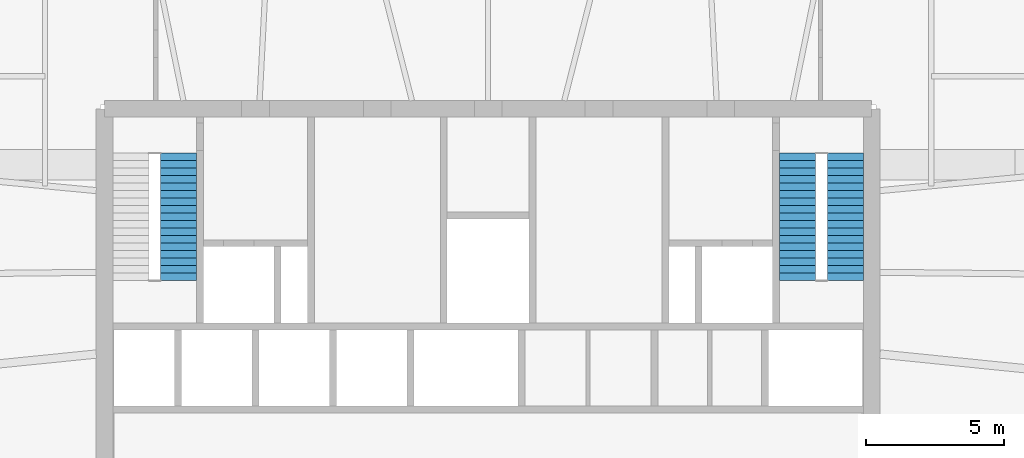
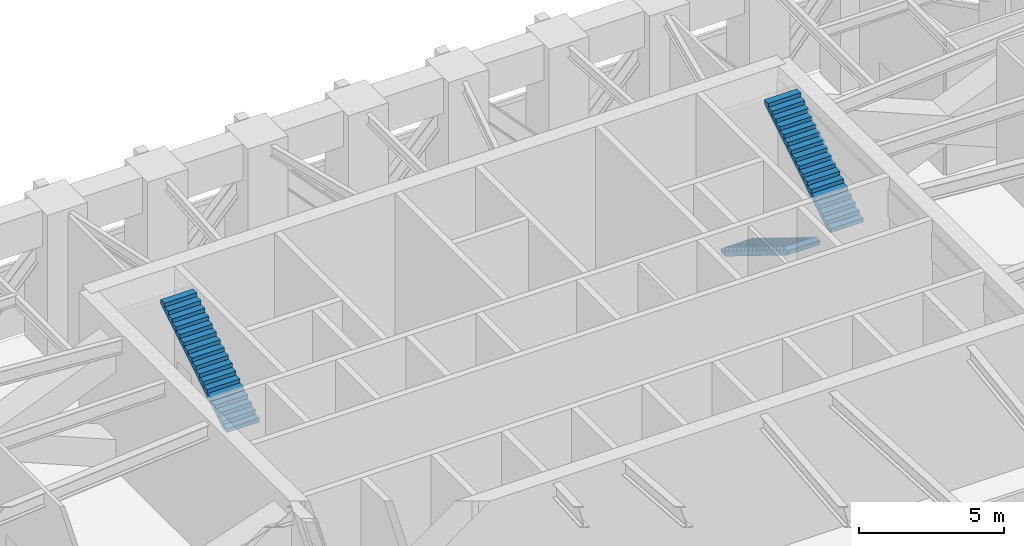
# One storey, part 8 of 9: 3 stair flights, 2 elements without a shape of their own.
"""IFC4 building model written with IfcOpenShell, lengths in metres."""

from ifc_helpers import new_model, si_unit, direction, frame, origin, place, context, subcontext, project, spatial, polyline, outline, extrude, material, type_object, element, aggregate, save


model = new_model("IFC4")

# Units and contexts
model_context = context("Model", 3, precision=1e-05, world=origin(), true_north=direction((0.0, 1.0)))
body_context = subcontext(model_context, "Body", "Model", "MODEL_VIEW")
ifc_project = project(units=[si_unit("LENGTHUNIT", "METRE"), si_unit("AREAUNIT", "SQUARE_METRE"), si_unit("VOLUMEUNIT", "CUBIC_METRE"), si_unit("PLANEANGLEUNIT", "RADIAN"), si_unit("MASSUNIT", "GRAM", prefix="KILO")], contexts=[model_context])

# Site, building, storey
site_placement = place(None, origin())
site = spatial("IfcSite", under=ifc_project, at=site_placement, CompositionType="ELEMENT")
building_placement = place(site_placement, origin())
building = spatial("IfcBuilding", under=site, at=building_placement, Name="Isbrekke Arena Tower", CompositionType="ELEMENT")
storey_placement = place(building_placement, frame((0.0, 0.0, 242.0)))
storey = spatial("IfcBuildingStorey", under=building, at=storey_placement, Name="L56", CompositionType="ELEMENT", Elevation=242.0)

# Stair, stair flight
ifc_material_1 = material(Name="Concrete B45 (C45/55) precast", Category="concrete")
stair_type = type_object("IfcStairType", Name="ST60 STAIR 1300 WIDE, 36 RISERS 167", PredefinedType="HALF_TURN_STAIR", material=ifc_material_1)
stair_1_placement = place(storey_placement, origin())
stair_1 = element("IfcStair", 1, at=stair_1_placement, inside=storey, type_object=stair_type, Name="ST1 stair L56", PredefinedType="HALF_TURN_STAIR")
ifc_material_2 = material(Name="Concrete B45 (C45/55) precast", Category="concrete")
stair_flight_type = type_object("IfcStairFlightType", Name="SF 1300 FLIGHT", PredefinedType="STRAIGHT", material=ifc_material_2)
stair_flight_1_placement = place(storey_placement, frame((-11.175048828125, 17.659912109375, 3.0), z_axis=(0.0, 0.0, 1.0), x_axis=(0.0, 1.0, 0.0)))
stair_flight_1 = element("IfcStairFlight", 2, at=stair_flight_1_placement, type_object=stair_flight_type, Name="ST1 flight 2", NumberOfRisers=18, NumberOfTreads=17, PredefinedType="STRAIGHT", RiserHeight=0.166666667, TreadLength=0.27, context=body_context, shape_type="SweptSolid", body=[
    extrude(outline(polyline([(0.0, 0.0), (0.0, 0.166748046875), (0.27001953125, 0.166748046875), (0.27001953125, 0.333251953125), (0.5400390625, 0.333251953125), (0.5400390625, 0.5), (0.81005859375, 0.5), (0.81005859375, 0.666748046875), (1.080078125, 0.666748046875), (1.080078125, 0.833251953125), (1.35009765625, 0.833251953125), (1.35009765625, 1.0), (1.6201171875, 1.0), (1.6201171875, 1.166748046875), (1.889892578125, 1.166748046875), (1.889892578125, 1.333251953125), (2.159912109375, 1.333251953125), (2.159912109375, 1.5), (2.429931640625, 1.5), (2.429931640625, 1.666748046875), (2.699951171875, 1.666748046875), (2.699951171875, 1.833251953125), (2.969970703125, 1.833251953125), (2.969970703125, 2.0), (3.239990234375, 2.0), (3.239990234375, 2.166748046875), (3.510009765625, 2.166748046875), (3.510009765625, 2.333251953125), (3.780029296875, 2.333251953125), (3.780029296875, 2.5), (4.050048828125, 2.5), (4.050048828125, 2.666748046875), (4.320068359375, 2.666748046875), (4.320068359375, 2.833251953125), (4.590087890625, 2.833251953125), (4.590087890625, 3.0), (4.590087890625, 2.6572265625), (0.285400390625, 0.0), (0.0, 0.0)])), frame((0.0, 0.64990234375, 0.0), z_axis=(0.0, -1.0, 0.0), x_axis=(1.0, 0.0, 0.0)), (0.0, 0.0, 1.0), 1.300048828125),
])
aggregate(stair_1, [stair_flight_1])

# Stair, stair flights
stair_2_placement = place(storey_placement, origin())
stair_2 = element("IfcStair", 3, at=stair_2_placement, inside=storey, type_object=stair_type, Name="ST2 stair L56", PredefinedType="HALF_TURN_STAIR")
stair_flight_2_placement = place(storey_placement, frame((11.175048828125, 22.25, 0.0), z_axis=(0.0, 0.0, 1.0), x_axis=(0.0, -1.0, 0.0)))
stair_flight_2 = element("IfcStairFlight", 4, at=stair_flight_2_placement, type_object=stair_flight_type, Name="ST2 flight 1", NumberOfRisers=18, NumberOfTreads=17, PredefinedType="STRAIGHT", RiserHeight=0.166666667, TreadLength=0.27, context=body_context, shape_type="SweptSolid", body=[
    extrude(outline(polyline([(0.0, 0.0), (0.0, 0.166748046875), (0.27001953125, 0.166748046875), (0.27001953125, 0.333251953125), (0.5400390625, 0.333251953125), (0.5400390625, 0.5), (0.81005859375, 0.5), (0.81005859375, 0.666748046875), (1.080078125, 0.666748046875), (1.080078125, 0.833251953125), (1.35009765625, 0.833251953125), (1.35009765625, 1.0), (1.6201171875, 1.0), (1.6201171875, 1.166748046875), (1.889892578125, 1.166748046875), (1.889892578125, 1.333251953125), (2.159912109375, 1.333251953125), (2.159912109375, 1.5), (2.429931640625, 1.5), (2.429931640625, 1.666748046875), (2.699951171875, 1.666748046875), (2.699951171875, 1.833251953125), (2.969970703125, 1.833251953125), (2.969970703125, 2.0), (3.239990234375, 2.0), (3.239990234375, 2.166748046875), (3.510009765625, 2.166748046875), (3.510009765625, 2.333251953125), (3.780029296875, 2.333251953125), (3.780029296875, 2.5), (4.050048828125, 2.5), (4.050048828125, 2.666748046875), (4.320068359375, 2.666748046875), (4.320068359375, 2.833251953125), (4.590087890625, 2.833251953125), (4.590087890625, 3.0), (4.590087890625, 2.6572265625), (0.285400390625, 0.0), (0.0, 0.0)])), frame((0.0, 0.64990234375, 0.0), z_axis=(0.0, -1.0, 0.0), x_axis=(1.0, 0.0, 0.0)), (0.0, 0.0, 1.0), 1.300048828125),
])
stair_flight_3_placement = place(storey_placement, frame((12.89990234375, 17.659912109375, 3.0), z_axis=(0.0, 0.0, 1.0), x_axis=(0.0, 1.0, 0.0)))
stair_flight_3 = element("IfcStairFlight", 5, at=stair_flight_3_placement, type_object=stair_flight_type, Name="ST2 flight 2", NumberOfRisers=18, NumberOfTreads=17, PredefinedType="STRAIGHT", RiserHeight=0.166666667, TreadLength=0.27, context=body_context, shape_type="SweptSolid", body=[
    extrude(outline(polyline([(0.0, 0.0), (0.0, 0.166748046875), (0.27001953125, 0.166748046875), (0.27001953125, 0.333251953125), (0.5400390625, 0.333251953125), (0.5400390625, 0.5), (0.81005859375, 0.5), (0.81005859375, 0.666748046875), (1.080078125, 0.666748046875), (1.080078125, 0.833251953125), (1.35009765625, 0.833251953125), (1.35009765625, 1.0), (1.6201171875, 1.0), (1.6201171875, 1.166748046875), (1.889892578125, 1.166748046875), (1.889892578125, 1.333251953125), (2.159912109375, 1.333251953125), (2.159912109375, 1.5), (2.429931640625, 1.5), (2.429931640625, 1.666748046875), (2.699951171875, 1.666748046875), (2.699951171875, 1.833251953125), (2.969970703125, 1.833251953125), (2.969970703125, 2.0), (3.239990234375, 2.0), (3.239990234375, 2.166748046875), (3.510009765625, 2.166748046875), (3.510009765625, 2.333251953125), (3.780029296875, 2.333251953125), (3.780029296875, 2.5), (4.050048828125, 2.5), (4.050048828125, 2.666748046875), (4.320068359375, 2.666748046875), (4.320068359375, 2.833251953125), (4.590087890625, 2.833251953125), (4.590087890625, 3.0), (4.590087890625, 2.6572265625), (0.285400390625, 0.0), (0.0, 0.0)])), frame((0.0, 0.64990234375, 0.0), z_axis=(0.0, -1.0, 0.0), x_axis=(1.0, 0.0, 0.0)), (0.0, 0.0, 1.0), 1.300048828125),
])
aggregate(stair_2, [stair_flight_2, stair_flight_3])

save(model, "model.ifc")
